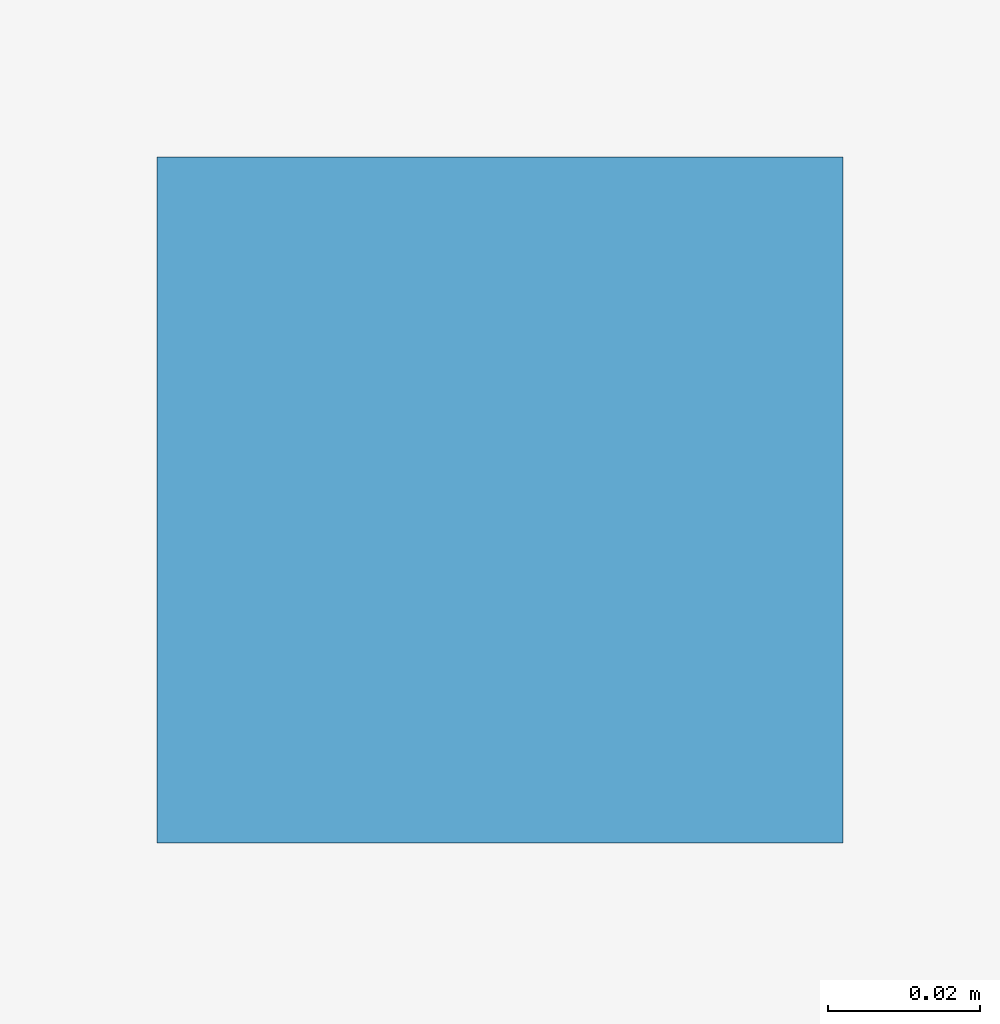
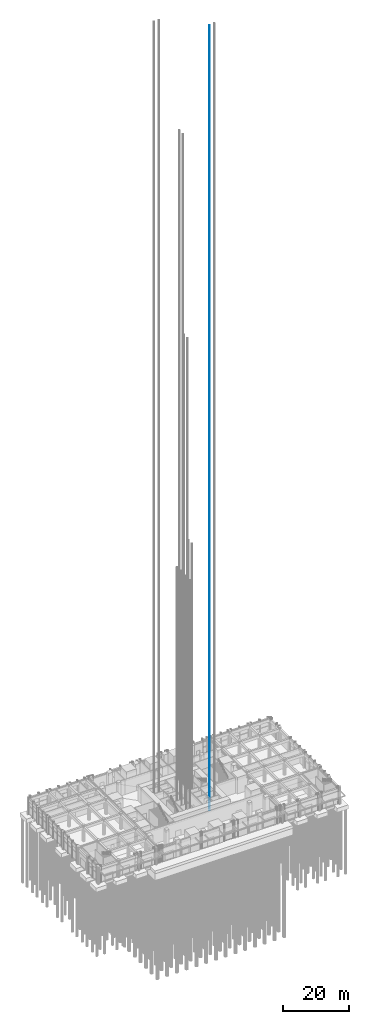
# One storey, part 40 of 46: 1 discrete accessory.
"""IFC4 building model written with IfcOpenShell, lengths in metres."""

from ifc_helpers import new_model, si_unit, direction, frame, origin, origin_2d, place, context, subcontext, project, spatial, rectangle, extrude, element, save


model = new_model("IFC4")

# Units and contexts
model_context = context("Model", 3, precision=1e-05, world=origin(), true_north=direction((0.0, 1.0)))
body_context = subcontext(model_context, "Body", "Model", "MODEL_VIEW")
ifc_project = project(units=[si_unit("LENGTHUNIT", "METRE"), si_unit("AREAUNIT", "SQUARE_METRE"), si_unit("VOLUMEUNIT", "CUBIC_METRE"), si_unit("PLANEANGLEUNIT", "RADIAN"), si_unit("MASSUNIT", "GRAM", prefix="KILO")], contexts=[model_context])

# Site, building, storey
site_placement = place(None, origin())
site = spatial("IfcSite", under=ifc_project, at=site_placement, CompositionType="ELEMENT")
building_placement = place(site_placement, origin())
building = spatial("IfcBuilding", under=site, at=building_placement, Name="Svetlomir Tower", CompositionType="ELEMENT")
storey_placement = place(building_placement, origin())
storey = spatial("IfcBuildingStorey", under=building, at=storey_placement, Name="L00", CompositionType="ELEMENT", Elevation=0.0)

# Discrete accessory
discrete_accessory_placement = place(storey_placement, frame((26.925048828125, 16.050048828125, 0.0), z_axis=(0.0, 0.0, 1.0), x_axis=(1.0, 0.0, 0.0)))
element("IfcDiscreteAccessory", 1, at=discrete_accessory_placement, inside=storey, Name="Lift FL2 guide rail 1", ObjectType="LIFT GUIDE RAIL", PredefinedType="USERDEFINED", context=body_context, shape_type="SweptSolid", body=[
    extrude(rectangle(XDim=0.090087890625, YDim=0.090087890625, at=origin_2d()), origin(), (0.0, 0.0, 1.0), 289.25),
])

save(model, "model.ifc")
